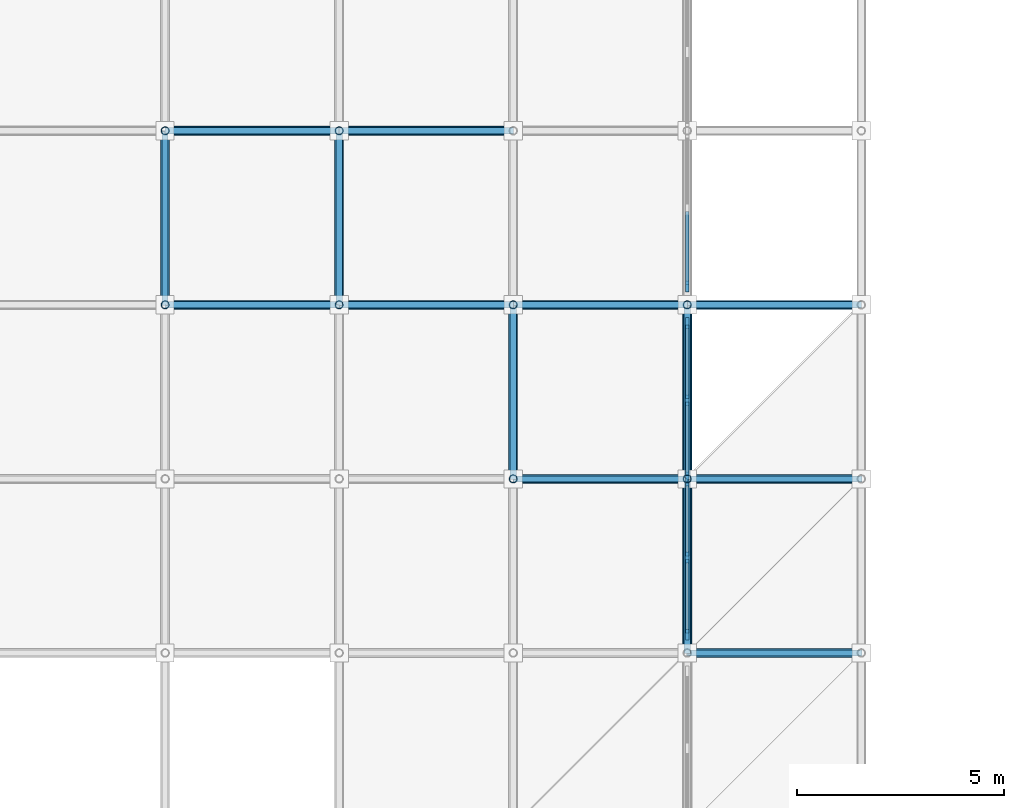
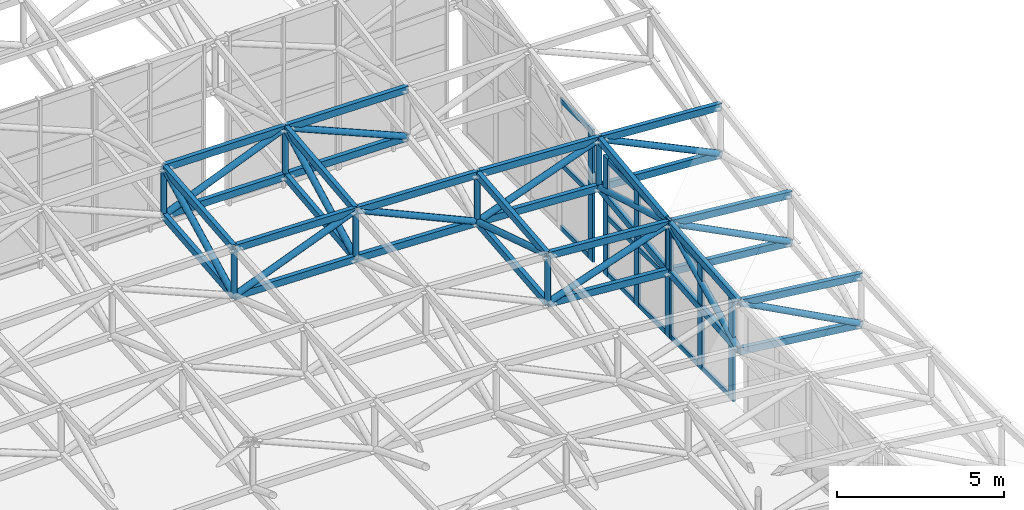
# One storey, part 34 of 132: 70 members, 3 elements without a shape of their own.
"""IFC4 building model written with IfcOpenShell, lengths in metres."""

from ifc_helpers import new_model, si_unit, direction, frame, origin, origin_2d, place, context, subcontext, project, spatial, rectangle, hollow_rectangle, hollow_circle, extrude, material, material_profile, profile_set, type_object, element, aggregate, save


model = new_model("IFC4")

# Units and contexts
model_context = context("Model", 3, precision=1e-05, world=origin(), true_north=direction((0.0, 1.0)))
body_context = subcontext(model_context, "Body", "Model", "MODEL_VIEW")
ifc_project = project(units=[si_unit("LENGTHUNIT", "METRE"), si_unit("AREAUNIT", "SQUARE_METRE"), si_unit("VOLUMEUNIT", "CUBIC_METRE"), si_unit("PLANEANGLEUNIT", "RADIAN"), si_unit("MASSUNIT", "GRAM", prefix="KILO")], contexts=[model_context])

# Site, building, storey
site_placement = place(None, origin())
site = spatial("IfcSite", under=ifc_project, at=site_placement, CompositionType="ELEMENT")
building_placement = place(site_placement, origin())
building = spatial("IfcBuilding", under=site, at=building_placement, Name="Cumbredor Promenade Congress Hotel", CompositionType="ELEMENT")
storey_placement = place(building_placement, frame((0.0, 0.0, 7.56005859375)))
storey = spatial("IfcBuildingStorey", under=building, at=storey_placement, Name="L02", CompositionType="ELEMENT", Elevation=7.56005859375)

# Curtain wall, members
ifc_material_1 = material(Name="Thermally broken anodized aluminium and low-E glass", Category="aluminium")
curtain_wall_type = type_object("IfcCurtainWallType", Name="Stepped Pavilion Clerestory Curtain Wall CW-06", PredefinedType="NOTDEFINED", material=ifc_material_1)
curtain_wall_1_placement = place(storey_placement, origin())
curtain_wall_1 = element("IfcCurtainWall", 1, at=curtain_wall_1_placement, inside=storey, type_object=curtain_wall_type, Name="Thermal Spa and Hydrotherapy Pavilion E Glazed Clerestory 7", PredefinedType="NOTDEFINED")
ifc_material_2 = material(Name="Thermally broken anodized aluminium", Category="aluminium")
ifc_material_profile_1 = material_profile(ifc_material_2, rectangle(XDim=0.0849609375, YDim=0.260009765625, at=origin_2d()), Name="ALU MULLION CLERESTORY 85x260")
ifc_profile_set_1 = profile_set([ifc_material_profile_1], Name="Thermally broken anodized aluminium")
member_type_1 = type_object("IfcMemberType", Name="Curtain Wall Mullion ML-04", PredefinedType="MULLION", material=ifc_profile_set_1)
member_1_placement = place(storey_placement, frame((109.199951171875, 34.0400390625, -0.01806640625), z_axis=(0.0, 0.0, 1.0), x_axis=(1.0, 0.0, 0.0)))
member_1 = element("IfcMember", 2, at=member_1_placement, type_object=member_type_1, Name="Thermal Spa and Hydrotherapy Pavilion E Glazed Clerestory 7 Mullion 1", PredefinedType="MULLION", context=body_context, shape_type="SweptSolid", body=[
    extrude(rectangle(XDim=0.0849609375, YDim=0.260009765625, at=origin_2d()), origin(), (0.0, 0.0, 1.0), 3.966552734375),
])
member_2_placement = place(storey_placement, frame((109.199951171875, 35.89990234375, -0.01806640625), z_axis=(0.0, 0.0, 1.0), x_axis=(1.0, 0.0, 0.0)))
member_2 = element("IfcMember", 3, at=member_2_placement, type_object=member_type_1, Name="Thermal Spa and Hydrotherapy Pavilion E Glazed Clerestory 7 Mullion 2", PredefinedType="MULLION", context=body_context, shape_type="SweptSolid", body=[
    extrude(rectangle(XDim=0.0849609375, YDim=0.260009765625, at=origin_2d()), origin(), (0.0, 0.0, 1.0), 3.966552734375),
])
member_3_placement = place(storey_placement, frame((109.199951171875, 37.760009765625, -0.01806640625), z_axis=(0.0, 0.0, 1.0), x_axis=(1.0, 0.0, 0.0)))
member_3 = element("IfcMember", 4, at=member_3_placement, type_object=member_type_1, Name="Thermal Spa and Hydrotherapy Pavilion E Glazed Clerestory 7 Mullion 3", PredefinedType="MULLION", context=body_context, shape_type="SweptSolid", body=[
    extrude(rectangle(XDim=0.0849609375, YDim=0.260009765625, at=origin_2d()), origin(), (0.0, 0.0, 1.0), 3.966552734375),
])

curtain_wall_2_placement = place(storey_placement, origin())
curtain_wall_2 = element("IfcCurtainWall", 5, at=curtain_wall_2_placement, inside=storey, type_object=curtain_wall_type, Name="Thermal Spa and Hydrotherapy Pavilion E Glazed Clerestory 8", PredefinedType="NOTDEFINED")
member_4_placement = place(storey_placement, frame((109.199951171875, 37.840087890625, -0.01806640625), z_axis=(0.0, 0.0, 1.0), x_axis=(1.0, 0.0, 0.0)))
member_4 = element("IfcMember", 6, at=member_4_placement, type_object=member_type_1, Name="Thermal Spa and Hydrotherapy Pavilion E Glazed Clerestory 8 Mullion 1", PredefinedType="MULLION", context=body_context, shape_type="SweptSolid", body=[
    extrude(rectangle(XDim=0.0849609375, YDim=0.260009765625, at=origin_2d()), origin(), (0.0, 0.0, 1.0), 4.318359375),
])
member_5_placement = place(storey_placement, frame((109.199951171875, 39.699951171875, -0.01806640625), z_axis=(0.0, 0.0, 1.0), x_axis=(1.0, 0.0, 0.0)))
member_5 = element("IfcMember", 7, at=member_5_placement, type_object=member_type_1, Name="Thermal Spa and Hydrotherapy Pavilion E Glazed Clerestory 8 Mullion 2", PredefinedType="MULLION", context=body_context, shape_type="SweptSolid", body=[
    extrude(rectangle(XDim=0.0849609375, YDim=0.260009765625, at=origin_2d()), origin(), (0.0, 0.0, 1.0), 4.318359375),
])
member_6_placement = place(storey_placement, frame((109.199951171875, 41.56005859375, -0.01806640625), z_axis=(0.0, 0.0, 1.0), x_axis=(1.0, 0.0, 0.0)))
member_6 = element("IfcMember", 8, at=member_6_placement, type_object=member_type_1, Name="Thermal Spa and Hydrotherapy Pavilion E Glazed Clerestory 8 Mullion 3", PredefinedType="MULLION", context=body_context, shape_type="SweptSolid", body=[
    extrude(rectangle(XDim=0.0849609375, YDim=0.260009765625, at=origin_2d()), origin(), (0.0, 0.0, 1.0), 4.318359375),
])

# Curtain wall, member
curtain_wall_3_placement = place(storey_placement, origin())
curtain_wall_3 = element("IfcCurtainWall", 9, at=curtain_wall_3_placement, inside=storey, type_object=curtain_wall_type, Name="Thermal Spa and Hydrotherapy Pavilion E Glazed Clerestory 9", PredefinedType="NOTDEFINED")
member_7_placement = place(storey_placement, frame((109.199951171875, 42.43994140625, -0.01806640625), z_axis=(0.0, 0.0, 1.0), x_axis=(1.0, 0.0, 0.0)))
member_7 = element("IfcMember", 10, at=member_7_placement, type_object=member_type_1, Name="Thermal Spa and Hydrotherapy Pavilion E Glazed Clerestory 9 Mullion 1", PredefinedType="MULLION", context=body_context, shape_type="SweptSolid", body=[
    extrude(rectangle(XDim=0.0849609375, YDim=0.260009765625, at=origin_2d()), origin(), (0.0, 0.0, 1.0), 4.845947265625),
])

# Member
ifc_material_profile_2 = material_profile(ifc_material_2, rectangle(XDim=0.080078125, YDim=0.179931640625, at=origin_2d()), Name="ALU TRANSOM 80x180")
ifc_profile_set_2 = profile_set([ifc_material_profile_2], Name="Thermally broken anodized aluminium")
member_type_2 = type_object("IfcMemberType", Name="Curtain Wall Transom TR-03", PredefinedType="USERDEFINED", material=ifc_profile_set_2)
member_8_placement = place(storey_placement, frame((109.199951171875, 34.08251953125, 0.079833984375), z_axis=(0.0, 1.0, 0.0), x_axis=(-1.0, 0.0, 0.0)))
member_8 = element("IfcMember", 11, at=member_8_placement, type_object=member_type_2, Name="Thermal Spa and Hydrotherapy Pavilion E Glazed Clerestory 7 Transom 1.1", ObjectType="TRANSOM", PredefinedType="USERDEFINED", context=body_context, shape_type="SweptSolid", body=[
    extrude(rectangle(XDim=0.080078125, YDim=0.179931640625, at=origin_2d()), origin(), (0.0, 0.0, 1.0), 1.77490234375),
])

member_9_placement = place(storey_placement, frame((109.199951171875, 34.08251953125, 3.849853515625), z_axis=(0.0, 1.0, 0.0), x_axis=(-1.0, 0.0, 0.0)))
member_9 = element("IfcMember", 12, at=member_9_placement, type_object=member_type_2, Name="Thermal Spa and Hydrotherapy Pavilion E Glazed Clerestory 7 Transom 1.2", ObjectType="TRANSOM", PredefinedType="USERDEFINED", context=body_context, shape_type="SweptSolid", body=[
    extrude(rectangle(XDim=0.080078125, YDim=0.179931640625, at=origin_2d()), origin(), (0.0, 0.0, 1.0), 1.77490234375),
])

member_10_placement = place(storey_placement, frame((109.199951171875, 35.9423828125, 0.079833984375), z_axis=(0.0, 1.0, 0.0), x_axis=(-1.0, 0.0, 0.0)))
member_10 = element("IfcMember", 13, at=member_10_placement, type_object=member_type_2, Name="Thermal Spa and Hydrotherapy Pavilion E Glazed Clerestory 7 Transom 2.1", ObjectType="TRANSOM", PredefinedType="USERDEFINED", context=body_context, shape_type="SweptSolid", body=[
    extrude(rectangle(XDim=0.080078125, YDim=0.179931640625, at=origin_2d()), origin(), (0.0, 0.0, 1.0), 1.775146484375),
])

member_11_placement = place(storey_placement, frame((109.199951171875, 35.9423828125, 3.849853515625), z_axis=(0.0, 1.0, 0.0), x_axis=(-1.0, 0.0, 0.0)))
member_11 = element("IfcMember", 14, at=member_11_placement, type_object=member_type_2, Name="Thermal Spa and Hydrotherapy Pavilion E Glazed Clerestory 7 Transom 2.2", ObjectType="TRANSOM", PredefinedType="USERDEFINED", context=body_context, shape_type="SweptSolid", body=[
    extrude(rectangle(XDim=0.080078125, YDim=0.179931640625, at=origin_2d()), origin(), (0.0, 0.0, 1.0), 1.775146484375),
])

aggregate(curtain_wall_1, [member_1, member_2, member_3, member_8, member_9, member_10, member_11])

member_12_placement = place(storey_placement, frame((109.199951171875, 37.882568359375, 0.079833984375), z_axis=(0.0, 1.0, 0.0), x_axis=(-1.0, 0.0, 0.0)))
member_12 = element("IfcMember", 15, at=member_12_placement, type_object=member_type_2, Name="Thermal Spa and Hydrotherapy Pavilion E Glazed Clerestory 8 Transom 1.1", ObjectType="TRANSOM", PredefinedType="USERDEFINED", context=body_context, shape_type="SweptSolid", body=[
    extrude(rectangle(XDim=0.080078125, YDim=0.179931640625, at=origin_2d()), origin(), (0.0, 0.0, 1.0), 1.77490234375),
])

member_13_placement = place(storey_placement, frame((109.199951171875, 37.882568359375, 2.139892578125), z_axis=(0.0, 1.0, 0.0), x_axis=(-1.0, 0.0, 0.0)))
member_13 = element("IfcMember", 16, at=member_13_placement, type_object=member_type_2, Name="Thermal Spa and Hydrotherapy Pavilion E Glazed Clerestory 8 Transom 1.2", ObjectType="TRANSOM", PredefinedType="USERDEFINED", context=body_context, shape_type="SweptSolid", body=[
    extrude(rectangle(XDim=0.080078125, YDim=0.179931640625, at=origin_2d()), origin(), (0.0, 0.0, 1.0), 1.77490234375),
])

member_14_placement = place(storey_placement, frame((109.199951171875, 37.882568359375, 4.199951171875), z_axis=(0.0, 1.0, 0.0), x_axis=(-1.0, 0.0, 0.0)))
member_14 = element("IfcMember", 17, at=member_14_placement, type_object=member_type_2, Name="Thermal Spa and Hydrotherapy Pavilion E Glazed Clerestory 8 Transom 1.3", ObjectType="TRANSOM", PredefinedType="USERDEFINED", context=body_context, shape_type="SweptSolid", body=[
    extrude(rectangle(XDim=0.080078125, YDim=0.179931640625, at=origin_2d()), origin(), (0.0, 0.0, 1.0), 1.77490234375),
])

member_15_placement = place(storey_placement, frame((109.199951171875, 39.742431640625, 0.079833984375), z_axis=(0.0, 1.0, 0.0), x_axis=(-1.0, 0.0, 0.0)))
member_15 = element("IfcMember", 18, at=member_15_placement, type_object=member_type_2, Name="Thermal Spa and Hydrotherapy Pavilion E Glazed Clerestory 8 Transom 2.1", ObjectType="TRANSOM", PredefinedType="USERDEFINED", context=body_context, shape_type="SweptSolid", body=[
    extrude(rectangle(XDim=0.080078125, YDim=0.179931640625, at=origin_2d()), origin(), (0.0, 0.0, 1.0), 1.775146484375),
])

member_16_placement = place(storey_placement, frame((109.199951171875, 39.742431640625, 2.139892578125), z_axis=(0.0, 1.0, 0.0), x_axis=(-1.0, 0.0, 0.0)))
member_16 = element("IfcMember", 19, at=member_16_placement, type_object=member_type_2, Name="Thermal Spa and Hydrotherapy Pavilion E Glazed Clerestory 8 Transom 2.2", ObjectType="TRANSOM", PredefinedType="USERDEFINED", context=body_context, shape_type="SweptSolid", body=[
    extrude(rectangle(XDim=0.080078125, YDim=0.179931640625, at=origin_2d()), origin(), (0.0, 0.0, 1.0), 1.775146484375),
])

member_17_placement = place(storey_placement, frame((109.199951171875, 39.742431640625, 4.199951171875), z_axis=(0.0, 1.0, 0.0), x_axis=(-1.0, 0.0, 0.0)))
member_17 = element("IfcMember", 20, at=member_17_placement, type_object=member_type_2, Name="Thermal Spa and Hydrotherapy Pavilion E Glazed Clerestory 8 Transom 2.3", ObjectType="TRANSOM", PredefinedType="USERDEFINED", context=body_context, shape_type="SweptSolid", body=[
    extrude(rectangle(XDim=0.080078125, YDim=0.179931640625, at=origin_2d()), origin(), (0.0, 0.0, 1.0), 1.775146484375),
])

aggregate(curtain_wall_2, [member_4, member_5, member_6, member_12, member_13, member_14, member_15, member_16, member_17])

member_18_placement = place(storey_placement, frame((109.199951171875, 42.482421875, 0.079833984375), z_axis=(0.0, 1.0, 0.0), x_axis=(-1.0, 0.0, 0.0)))
member_18 = element("IfcMember", 21, at=member_18_placement, type_object=member_type_2, Name="Thermal Spa and Hydrotherapy Pavilion E Glazed Clerestory 9 Transom 1.1", ObjectType="TRANSOM", PredefinedType="USERDEFINED", context=body_context, shape_type="SweptSolid", body=[
    extrude(rectangle(XDim=0.080078125, YDim=0.179931640625, at=origin_2d()), origin(), (0.0, 0.0, 1.0), 1.775146484375),
])

member_19_placement = place(storey_placement, frame((109.199951171875, 42.482421875, 2.39990234375), z_axis=(0.0, 1.0, 0.0), x_axis=(-1.0, 0.0, 0.0)))
member_19 = element("IfcMember", 22, at=member_19_placement, type_object=member_type_2, Name="Thermal Spa and Hydrotherapy Pavilion E Glazed Clerestory 9 Transom 1.2", ObjectType="TRANSOM", PredefinedType="USERDEFINED", context=body_context, shape_type="SweptSolid", body=[
    extrude(rectangle(XDim=0.080078125, YDim=0.179931640625, at=origin_2d()), origin(), (0.0, 0.0, 1.0), 1.775146484375),
])

member_20_placement = place(storey_placement, frame((109.199951171875, 42.482421875, 4.72998046875), z_axis=(0.0, 1.0, 0.0), x_axis=(-1.0, 0.0, 0.0)))
member_20 = element("IfcMember", 23, at=member_20_placement, type_object=member_type_2, Name="Thermal Spa and Hydrotherapy Pavilion E Glazed Clerestory 9 Transom 1.3", ObjectType="TRANSOM", PredefinedType="USERDEFINED", context=body_context, shape_type="SweptSolid", body=[
    extrude(rectangle(XDim=0.080078125, YDim=0.179931640625, at=origin_2d()), origin(), (0.0, 0.0, 1.0), 1.775146484375),
])

aggregate(curtain_wall_3, [member_7, member_18, member_19, member_20])

# Members
ifc_material_3 = material(Name="Steel ASTM A500 Grade C", Category="steel")
ifc_material_profile_3 = material_profile(ifc_material_3, hollow_rectangle(XDim=0.14990234375, YDim=0.25, WallThickness=0.012451171875, at=origin_2d()), Name="HSS 250x150x12.5")
ifc_profile_set_3 = profile_set([ifc_material_profile_3], Name="Steel ASTM A500 Grade C")
member_type_3 = type_object("IfcMemberType", Name="Spa Roof Space Frame Chord", PredefinedType="CHORD", material=ifc_profile_set_3)
for number, where, z_axis, x_axis, name in (
    (24, (109.199951171875, 33.60009765625, 3.79736328125), (0.993316312683, 0.0, -0.11542401378), (0.0, 1.0, 0.0), "Thermal Spa and Hydrotherapy Pavilion X Top Chord 10.9"),
    (25, (109.199951171875, 33.60009765625, 2.04736328125), (0.993316312683, 0.0, -0.11542401378), (0.0, 1.0, 0.0), "Thermal Spa and Hydrotherapy Pavilion X Bottom Chord 10.9"),
):
    element("IfcMember", number, at=place(storey_placement, frame(where, z_axis=z_axis, x_axis=x_axis)), inside=storey, type_object=member_type_3, Name=name, PredefinedType="CHORD", context=body_context, shape_type="SweptSolid", body=[
        extrude(hollow_rectangle(XDim=0.14990234375, YDim=0.25, WallThickness=0.012451171875, at=origin_2d()), origin(), (0.0, 0.0, 1.0), 4.228271484375),
    ])
for number, where, z_axis, x_axis, name in (
    (26, (105.0, 37.800048828125, 4.458984375), (0.997294578596, 0.0, -0.073508662772), (0.0, 1.0, 0.0), "Thermal Spa and Hydrotherapy Pavilion X Top Chord 9.10"),
    (27, (105.0, 37.800048828125, 2.708984375), (0.997294578596, 0.0, -0.073508662772), (0.0, 1.0, 0.0), "Thermal Spa and Hydrotherapy Pavilion X Bottom Chord 9.10"),
):
    element("IfcMember", number, at=place(storey_placement, frame(where, z_axis=z_axis, x_axis=x_axis)), inside=storey, type_object=member_type_3, Name=name, PredefinedType="CHORD", context=body_context, shape_type="SweptSolid", body=[
        extrude(hollow_rectangle(XDim=0.14990234375, YDim=0.25, WallThickness=0.012451171875, at=origin_2d()), origin(), (0.0, 0.0, 1.0), 4.21142578125),
    ])
for number, where, z_axis, x_axis, name in (
    (28, (109.199951171875, 37.800048828125, 4.1494140625), (0.99557909429, 0.0, -0.093926923794), (0.0, 1.0, 0.0), "Thermal Spa and Hydrotherapy Pavilion X Top Chord 10.10"),
    (29, (109.199951171875, 37.800048828125, 2.3994140625), (0.99557909429, 0.0, -0.093926923794), (0.0, 1.0, 0.0), "Thermal Spa and Hydrotherapy Pavilion X Bottom Chord 10.10"),
):
    element("IfcMember", number, at=place(storey_placement, frame(where, z_axis=z_axis, x_axis=x_axis)), inside=storey, type_object=member_type_3, Name=name, PredefinedType="CHORD", context=body_context, shape_type="SweptSolid", body=[
        extrude(hollow_rectangle(XDim=0.14990234375, YDim=0.25, WallThickness=0.012451171875, at=origin_2d()), origin(), (0.0, 0.0, 1.0), 4.218505859375),
    ])
for number, where, z_axis, x_axis, name in (
    (30, (96.60009765625, 42.0, 5.111572265625), (0.999785946585, 0.0, -0.020689635353), (0.0, 1.0, 0.0), "Thermal Spa and Hydrotherapy Pavilion X Top Chord 7.11"),
    (31, (96.60009765625, 42.0, 3.361572265625), (0.999785946585, 0.0, -0.020689635353), (0.0, 1.0, 0.0), "Thermal Spa and Hydrotherapy Pavilion X Bottom Chord 7.11"),
):
    element("IfcMember", number, at=place(storey_placement, frame(where, z_axis=z_axis, x_axis=x_axis)), inside=storey, type_object=member_type_3, Name=name, PredefinedType="CHORD", context=body_context, shape_type="SweptSolid", body=[
        extrude(hollow_rectangle(XDim=0.14990234375, YDim=0.25, WallThickness=0.012451171875, at=origin_2d()), origin(), (0.0, 0.0, 1.0), 4.200927734375),
    ])
for number, where, z_axis, x_axis, name in (
    (32, (100.800048828125, 42.0, 5.024658203125), (0.999406413259, 0.0, -0.03445027048), (0.0, 1.0, 0.0), "Thermal Spa and Hydrotherapy Pavilion X Top Chord 8.11"),
    (33, (100.800048828125, 42.0, 3.274658203125), (0.999406413259, 0.0, -0.03445027048), (0.0, 1.0, 0.0), "Thermal Spa and Hydrotherapy Pavilion X Bottom Chord 8.11"),
):
    element("IfcMember", number, at=place(storey_placement, frame(where, z_axis=z_axis, x_axis=x_axis)), inside=storey, type_object=member_type_3, Name=name, PredefinedType="CHORD", context=body_context, shape_type="SweptSolid", body=[
        extrude(hollow_rectangle(XDim=0.14990234375, YDim=0.25, WallThickness=0.012451171875, at=origin_2d()), origin(), (0.0, 0.0, 1.0), 4.202392578125),
    ])
for number, where, z_axis, x_axis, name in (
    (34, (105.0, 42.0, 4.8798828125), (0.99883532584, 0.0, -0.048249267905), (0.0, 1.0, 0.0), "Thermal Spa and Hydrotherapy Pavilion X Top Chord 9.11"),
    (35, (105.0, 42.0, 3.1298828125), (0.99883532584, 0.0, -0.048249267905), (0.0, 1.0, 0.0), "Thermal Spa and Hydrotherapy Pavilion X Bottom Chord 9.11"),
):
    element("IfcMember", number, at=place(storey_placement, frame(where, z_axis=z_axis, x_axis=x_axis)), inside=storey, type_object=member_type_3, Name=name, PredefinedType="CHORD", context=body_context, shape_type="SweptSolid", body=[
        extrude(hollow_rectangle(XDim=0.14990234375, YDim=0.25, WallThickness=0.012451171875, at=origin_2d()), origin(), (0.0, 0.0, 1.0), 4.204833984375),
    ])
for number, where, z_axis, x_axis, name in (
    (36, (109.199951171875, 42.0, 4.677001953125), (0.998114167579, 0.0, -0.061384920613), (0.0, 1.0, 0.0), "Thermal Spa and Hydrotherapy Pavilion X Top Chord 10.11"),
    (37, (109.199951171875, 42.0, 2.927001953125), (0.998114167579, 0.0, -0.061384920613), (0.0, 1.0, 0.0), "Thermal Spa and Hydrotherapy Pavilion X Bottom Chord 10.11"),
):
    element("IfcMember", number, at=place(storey_placement, frame(where, z_axis=z_axis, x_axis=x_axis)), inside=storey, type_object=member_type_3, Name=name, PredefinedType="CHORD", context=body_context, shape_type="SweptSolid", body=[
        extrude(hollow_rectangle(XDim=0.14990234375, YDim=0.25, WallThickness=0.012451171875, at=origin_2d()), origin(), (0.0, 0.0, 1.0), 4.2080078125),
    ])
for number, where, z_axis, x_axis, name in (
    (38, (96.60009765625, 46.199951171875, 5.510009765625), (0.999981017169, 0.0, -0.006161599013), (0.0, 1.0, 0.0), "Thermal Spa and Hydrotherapy Pavilion X Top Chord 7.12"),
    (39, (96.60009765625, 46.199951171875, 3.760009765625), (0.999981017169, 0.0, -0.006161599013), (0.0, 1.0, 0.0), "Thermal Spa and Hydrotherapy Pavilion X Bottom Chord 7.12"),
):
    element("IfcMember", number, at=place(storey_placement, frame(where, z_axis=z_axis, x_axis=x_axis)), inside=storey, type_object=member_type_3, Name=name, PredefinedType="CHORD", context=body_context, shape_type="SweptSolid", body=[
        extrude(hollow_rectangle(XDim=0.14990234375, YDim=0.25, WallThickness=0.012451171875, at=origin_2d()), origin(), (0.0, 0.0, 1.0), 4.199951171875),
    ])
for number, where, z_axis, x_axis, name in (
    (40, (100.800048828125, 46.199951171875, 5.484130859375), (0.999947073439, 0.0, -0.010288358542), (0.0, 1.0, 0.0), "Thermal Spa and Hydrotherapy Pavilion X Top Chord 8.12"),
    (41, (100.800048828125, 46.199951171875, 3.734130859375), (0.999947073439, 0.0, -0.010288358542), (0.0, 1.0, 0.0), "Thermal Spa and Hydrotherapy Pavilion X Bottom Chord 8.12"),
):
    element("IfcMember", number, at=place(storey_placement, frame(where, z_axis=z_axis, x_axis=x_axis)), inside=storey, type_object=member_type_3, Name=name, PredefinedType="CHORD", context=body_context, shape_type="SweptSolid", body=[
        extrude(hollow_rectangle(XDim=0.14990234375, YDim=0.25, WallThickness=0.012451171875, at=origin_2d()), origin(), (0.0, 0.0, 1.0), 4.2001953125),
    ])
for number, where, z_axis, x_axis, name in (
    (42, (96.60009765625, 42.0, 5.111572265625), (0.0, 0.995530257121, 0.094443142453), (-1.0, 0.0, 0.0), "Thermal Spa and Hydrotherapy Pavilion Y Top Chord 7.11"),
    (43, (96.60009765625, 42.0, 3.361572265625), (0.0, 0.995530257121, 0.094443142453), (-1.0, 0.0, 0.0), "Thermal Spa and Hydrotherapy Pavilion Y Bottom Chord 7.11"),
):
    element("IfcMember", number, at=place(storey_placement, frame(where, z_axis=z_axis, x_axis=x_axis)), inside=storey, type_object=member_type_3, Name=name, PredefinedType="CHORD", context=body_context, shape_type="SweptSolid", body=[
        extrude(hollow_rectangle(XDim=0.14990234375, YDim=0.25, WallThickness=0.012451171875, at=origin_2d()), origin(), (0.0, 0.0, 1.0), 4.21875),
    ])
for number, where, z_axis, x_axis, name in (
    (44, (100.800048828125, 42.0, 5.024658203125), (0.0, 0.99406905665, 0.108750680964), (-1.0, 0.0, 0.0), "Thermal Spa and Hydrotherapy Pavilion Y Top Chord 8.11"),
    (45, (100.800048828125, 42.0, 3.274658203125), (0.0, 0.99406905665, 0.108750680964), (-1.0, 0.0, 0.0), "Thermal Spa and Hydrotherapy Pavilion Y Bottom Chord 8.11"),
):
    element("IfcMember", number, at=place(storey_placement, frame(where, z_axis=z_axis, x_axis=x_axis)), inside=storey, type_object=member_type_3, Name=name, PredefinedType="CHORD", context=body_context, shape_type="SweptSolid", body=[
        extrude(hollow_rectangle(XDim=0.14990234375, YDim=0.25, WallThickness=0.012451171875, at=origin_2d()), origin(), (0.0, 0.0, 1.0), 4.22509765625),
    ])
for number, where, z_axis, x_axis, name in (
    (46, (105.0, 37.800048828125, 4.458984375), (0.0, 0.995015978857, 0.099715604694), (-1.0, 0.0, 0.0), "Thermal Spa and Hydrotherapy Pavilion Y Top Chord 9.10"),
    (47, (105.0, 37.800048828125, 2.708984375), (0.0, 0.995015978857, 0.099715604694), (-1.0, 0.0, 0.0), "Thermal Spa and Hydrotherapy Pavilion Y Bottom Chord 9.10"),
):
    element("IfcMember", number, at=place(storey_placement, frame(where, z_axis=z_axis, x_axis=x_axis)), inside=storey, type_object=member_type_3, Name=name, PredefinedType="CHORD", context=body_context, shape_type="SweptSolid", body=[
        extrude(hollow_rectangle(XDim=0.14990234375, YDim=0.25, WallThickness=0.012451171875, at=origin_2d()), origin(), (0.0, 0.0, 1.0), 4.220947265625),
    ])
for number, where, z_axis, x_axis, name in (
    (48, (109.199951171875, 33.60009765625, 3.79736328125), (0.0, 0.996505291992, 0.08352965361), (-1.0, 0.0, 0.0), "Thermal Spa and Hydrotherapy Pavilion Y Top Chord 10.9"),
    (49, (109.199951171875, 33.60009765625, 2.04736328125), (0.0, 0.996505291992, 0.08352965361), (-1.0, 0.0, 0.0), "Thermal Spa and Hydrotherapy Pavilion Y Bottom Chord 10.9"),
):
    element("IfcMember", number, at=place(storey_placement, frame(where, z_axis=z_axis, x_axis=x_axis)), inside=storey, type_object=member_type_3, Name=name, PredefinedType="CHORD", context=body_context, shape_type="SweptSolid", body=[
        extrude(hollow_rectangle(XDim=0.14990234375, YDim=0.25, WallThickness=0.012451171875, at=origin_2d()), origin(), (0.0, 0.0, 1.0), 4.214599609375),
    ])
for number, where, z_axis, x_axis, name in (
    (50, (109.199951171875, 37.800048828125, 4.1494140625), (0.0, 0.992202270646, 0.124638092592), (-1.0, 0.0, 0.0), "Thermal Spa and Hydrotherapy Pavilion Y Top Chord 10.10"),
    (51, (109.199951171875, 37.800048828125, 2.3994140625), (0.0, 0.992202270646, 0.124638092592), (-1.0, 0.0, 0.0), "Thermal Spa and Hydrotherapy Pavilion Y Bottom Chord 10.10"),
):
    element("IfcMember", number, at=place(storey_placement, frame(where, z_axis=z_axis, x_axis=x_axis)), inside=storey, type_object=member_type_3, Name=name, PredefinedType="CHORD", context=body_context, shape_type="SweptSolid", body=[
        extrude(hollow_rectangle(XDim=0.14990234375, YDim=0.25, WallThickness=0.012451171875, at=origin_2d()), origin(), (0.0, 0.0, 1.0), 4.23291015625),
    ])
ifc_material_profile_4 = material_profile(ifc_material_3, hollow_circle(Radius=0.109619140625, WallThickness=0.012451171875, at=origin_2d()), Name="CHS 219.1x12.5")
ifc_profile_set_4 = profile_set([ifc_material_profile_4], Name="Steel ASTM A500 Grade C")
member_type_4 = type_object("IfcMemberType", Name="Space Frame Web Diagonal D1", PredefinedType="BRACE", material=ifc_profile_set_4)
member_21_placement = place(storey_placement, frame((109.199951171875, 33.60009765625, 3.79736328125), z_axis=(0.882521874047, 0.0, -0.470271349148), x_axis=(0.0, 1.0, 0.0)))
element("IfcMember", 52, at=member_21_placement, inside=storey, type_object=member_type_4, Name="Thermal Spa and Hydrotherapy Pavilion X Web Diagonal 10.9", PredefinedType="BRACE", context=body_context, shape_type="SweptSolid", body=[
    extrude(hollow_circle(Radius=0.109619140625, WallThickness=0.012451171875, at=origin_2d()), origin(), (0.0, 0.0, 1.0), 4.759033203125),
])
member_22_placement = place(storey_placement, frame((105.0, 37.800048828125, 2.708984375), z_axis=(0.945915095178, 0.0, 0.324414291784), x_axis=(0.0, 1.0, 0.0)))
element("IfcMember", 53, at=member_22_placement, inside=storey, type_object=member_type_4, Name="Thermal Spa and Hydrotherapy Pavilion X Web Diagonal 9.10", PredefinedType="BRACE", context=body_context, shape_type="SweptSolid", body=[
    extrude(hollow_circle(Radius=0.109619140625, WallThickness=0.012451171875, at=origin_2d()), origin(), (0.0, 0.0, 1.0), 4.440185546875),
])
member_23_placement = place(storey_placement, frame((109.199951171875, 37.800048828125, 4.1494140625), z_axis=(0.890469174417, 0.0, -0.455043568697), x_axis=(0.0, 1.0, 0.0)))
element("IfcMember", 54, at=member_23_placement, inside=storey, type_object=member_type_4, Name="Thermal Spa and Hydrotherapy Pavilion X Web Diagonal 10.10", PredefinedType="BRACE", context=body_context, shape_type="SweptSolid", body=[
    extrude(hollow_circle(Radius=0.109619140625, WallThickness=0.012451171875, at=origin_2d()), origin(), (0.0, 0.0, 1.0), 4.716552734375),
])
member_24_placement = place(storey_placement, frame((96.60009765625, 42.0, 3.361572265625), z_axis=(0.929760752579, 0.0, 0.368164288006), x_axis=(0.0, 1.0, 0.0)))
element("IfcMember", 55, at=member_24_placement, inside=storey, type_object=member_type_4, Name="Thermal Spa and Hydrotherapy Pavilion X Web Diagonal 7.11", PredefinedType="BRACE", context=body_context, shape_type="SweptSolid", body=[
    extrude(hollow_circle(Radius=0.109619140625, WallThickness=0.012451171875, at=origin_2d()), origin(), (0.0, 0.0, 1.0), 4.517333984375),
])
member_25_placement = place(storey_placement, frame((100.800048828125, 42.0, 5.024658203125), z_axis=(0.911531459571, 0.0, -0.411230346901), x_axis=(0.0, 1.0, 0.0)))
element("IfcMember", 56, at=member_25_placement, inside=storey, type_object=member_type_4, Name="Thermal Spa and Hydrotherapy Pavilion X Web Diagonal 8.11", PredefinedType="BRACE", context=body_context, shape_type="SweptSolid", body=[
    extrude(hollow_circle(Radius=0.109619140625, WallThickness=0.012451171875, at=origin_2d()), origin(), (0.0, 0.0, 1.0), 4.607666015625),
])
member_26_placement = place(storey_placement, frame((105.0, 42.0, 3.1298828125), z_axis=(0.938359878721, 0.0, 0.34565985883), x_axis=(0.0, 1.0, 0.0)))
element("IfcMember", 57, at=member_26_placement, inside=storey, type_object=member_type_4, Name="Thermal Spa and Hydrotherapy Pavilion X Web Diagonal 9.11", PredefinedType="BRACE", context=body_context, shape_type="SweptSolid", body=[
    extrude(hollow_circle(Radius=0.109619140625, WallThickness=0.012451171875, at=origin_2d()), origin(), (0.0, 0.0, 1.0), 4.475830078125),
])
member_27_placement = place(storey_placement, frame((109.199951171875, 42.0, 4.677001953125), z_axis=(0.902165281289, 0.0, -0.431390548386), x_axis=(0.0, 1.0, 0.0)))
element("IfcMember", 58, at=member_27_placement, inside=storey, type_object=member_type_4, Name="Thermal Spa and Hydrotherapy Pavilion X Web Diagonal 10.11", PredefinedType="BRACE", context=body_context, shape_type="SweptSolid", body=[
    extrude(hollow_circle(Radius=0.109619140625, WallThickness=0.012451171875, at=origin_2d()), origin(), (0.0, 0.0, 1.0), 4.655517578125),
])
member_28_placement = place(storey_placement, frame((96.60009765625, 46.199951171875, 3.760009765625), z_axis=(0.925086285307, 0.0, 0.379756981157), x_axis=(0.0, 1.0, 0.0)))
element("IfcMember", 59, at=member_28_placement, inside=storey, type_object=member_type_4, Name="Thermal Spa and Hydrotherapy Pavilion X Web Diagonal 7.12", PredefinedType="BRACE", context=body_context, shape_type="SweptSolid", body=[
    extrude(hollow_circle(Radius=0.109619140625, WallThickness=0.012451171875, at=origin_2d()), origin(), (0.0, 0.0, 1.0), 4.5400390625),
])
member_29_placement = place(storey_placement, frame((100.800048828125, 46.199951171875, 5.484130859375), z_axis=(0.91968062597, 0.0, -0.392667220703), x_axis=(0.0, 1.0, 0.0)))
element("IfcMember", 60, at=member_29_placement, inside=storey, type_object=member_type_4, Name="Thermal Spa and Hydrotherapy Pavilion X Web Diagonal 8.12", PredefinedType="BRACE", context=body_context, shape_type="SweptSolid", body=[
    extrude(hollow_circle(Radius=0.109619140625, WallThickness=0.012451171875, at=origin_2d()), origin(), (0.0, 0.0, 1.0), 4.566650390625),
])
member_30_placement = place(storey_placement, frame((96.60009765625, 42.0, 3.361572265625), z_axis=(0.0, 0.890280369547, 0.45541284962), x_axis=(-1.0, 0.0, 0.0)))
element("IfcMember", 61, at=member_30_placement, inside=storey, type_object=member_type_4, Name="Thermal Spa and Hydrotherapy Pavilion Y Web Diagonal 7.11", PredefinedType="BRACE", context=body_context, shape_type="SweptSolid", body=[
    extrude(hollow_circle(Radius=0.109619140625, WallThickness=0.012451171875, at=origin_2d()), origin(), (0.0, 0.0, 1.0), 4.717529296875),
])
member_31_placement = place(storey_placement, frame((100.800048828125, 42.0, 3.274658203125), z_axis=(0.0, 0.885007481527, 0.465576801013), x_axis=(-1.0, 0.0, 0.0)))
element("IfcMember", 62, at=member_31_placement, inside=storey, type_object=member_type_4, Name="Thermal Spa and Hydrotherapy Pavilion Y Web Diagonal 8.11", PredefinedType="BRACE", context=body_context, shape_type="SweptSolid", body=[
    extrude(hollow_circle(Radius=0.109619140625, WallThickness=0.012451171875, at=origin_2d()), origin(), (0.0, 0.0, 1.0), 4.74560546875),
])
member_32_placement = place(storey_placement, frame((105.0, 37.800048828125, 4.458984375), z_axis=(0.0, 0.953399895138, -0.301709529101), x_axis=(-1.0, 0.0, 0.0)))
element("IfcMember", 63, at=member_32_placement, inside=storey, type_object=member_type_4, Name="Thermal Spa and Hydrotherapy Pavilion Y Web Diagonal 9.10", PredefinedType="BRACE", context=body_context, shape_type="SweptSolid", body=[
    extrude(hollow_circle(Radius=0.109619140625, WallThickness=0.012451171875, at=origin_2d()), origin(), (0.0, 0.0, 1.0), 4.4052734375),
])
member_33_placement = place(storey_placement, frame((109.199951171875, 33.60009765625, 2.04736328125), z_axis=(0.0, 0.894250381555, 0.447567039771), x_axis=(-1.0, 0.0, 0.0)))
element("IfcMember", 64, at=member_33_placement, inside=storey, type_object=member_type_4, Name="Thermal Spa and Hydrotherapy Pavilion Y Web Diagonal 10.9", PredefinedType="BRACE", context=body_context, shape_type="SweptSolid", body=[
    extrude(hollow_circle(Radius=0.109619140625, WallThickness=0.012451171875, at=origin_2d()), origin(), (0.0, 0.0, 1.0), 4.696533203125),
])
member_34_placement = place(storey_placement, frame((109.199951171875, 37.800048828125, 4.1494140625), z_axis=(0.0, 0.960157999727, -0.279457716947), x_axis=(-1.0, 0.0, 0.0)))
element("IfcMember", 65, at=member_34_placement, inside=storey, type_object=member_type_4, Name="Thermal Spa and Hydrotherapy Pavilion Y Web Diagonal 10.10", PredefinedType="BRACE", context=body_context, shape_type="SweptSolid", body=[
    extrude(hollow_circle(Radius=0.109619140625, WallThickness=0.012451171875, at=origin_2d()), origin(), (0.0, 0.0, 1.0), 4.374267578125),
])
ifc_material_profile_5 = material_profile(ifc_material_3, hollow_circle(Radius=0.096923828125, WallThickness=0.010009765625, at=origin_2d()), Name="CHS 193.7x10")
ifc_profile_set_5 = profile_set([ifc_material_profile_5], Name="Steel ASTM A500 Grade C")
member_type_5 = type_object("IfcMemberType", Name="Space Frame Web Post P1", PredefinedType="BRACE", material=ifc_profile_set_5)
for number, where, z_axis, x_axis, name in (
    (66, (96.60009765625, 42.0, 3.361572265625), (0.0, 0.0, 1.0), (1.0, 0.0, 0.0), "Thermal Spa and Hydrotherapy Pavilion Space Frame Web Post 7.11"),
    (67, (96.60009765625, 46.199951171875, 3.760009765625), (0.0, 0.0, 1.0), (1.0, 0.0, 0.0), "Thermal Spa and Hydrotherapy Pavilion Space Frame Web Post 7.12"),
    (68, (100.800048828125, 42.0, 3.274658203125), (0.0, 0.0, 1.0), (1.0, 0.0, 0.0), "Thermal Spa and Hydrotherapy Pavilion Space Frame Web Post 8.11"),
    (69, (100.800048828125, 46.199951171875, 3.734130859375), (0.0, 0.0, 1.0), (1.0, 0.0, 0.0), "Thermal Spa and Hydrotherapy Pavilion Space Frame Web Post 8.12"),
    (70, (105.0, 37.800048828125, 2.708984375), (0.0, 0.0, 1.0), (1.0, 0.0, 0.0), "Thermal Spa and Hydrotherapy Pavilion Space Frame Web Post 9.10"),
    (71, (105.0, 42.0, 3.1298828125), (0.0, 0.0, 1.0), (1.0, 0.0, 0.0), "Thermal Spa and Hydrotherapy Pavilion Space Frame Web Post 9.11"),
    (72, (109.199951171875, 37.800048828125, 2.3994140625), (0.0, 0.0, 1.0), (1.0, 0.0, 0.0), "Thermal Spa and Hydrotherapy Pavilion Space Frame Web Post 10.10"),
    (73, (109.199951171875, 42.0, 2.927001953125), (0.0, 0.0, 1.0), (1.0, 0.0, 0.0), "Thermal Spa and Hydrotherapy Pavilion Space Frame Web Post 10.11"),
):
    element("IfcMember", number, at=place(storey_placement, frame(where, z_axis=z_axis, x_axis=x_axis)), inside=storey, type_object=member_type_5, Name=name, PredefinedType="BRACE", context=body_context, shape_type="SweptSolid", body=[
        extrude(hollow_circle(Radius=0.096923828125, WallThickness=0.010009765625, at=origin_2d()), origin(), (0.0, 0.0, 1.0), 1.75),
    ])

save(model, "model.ifc")
